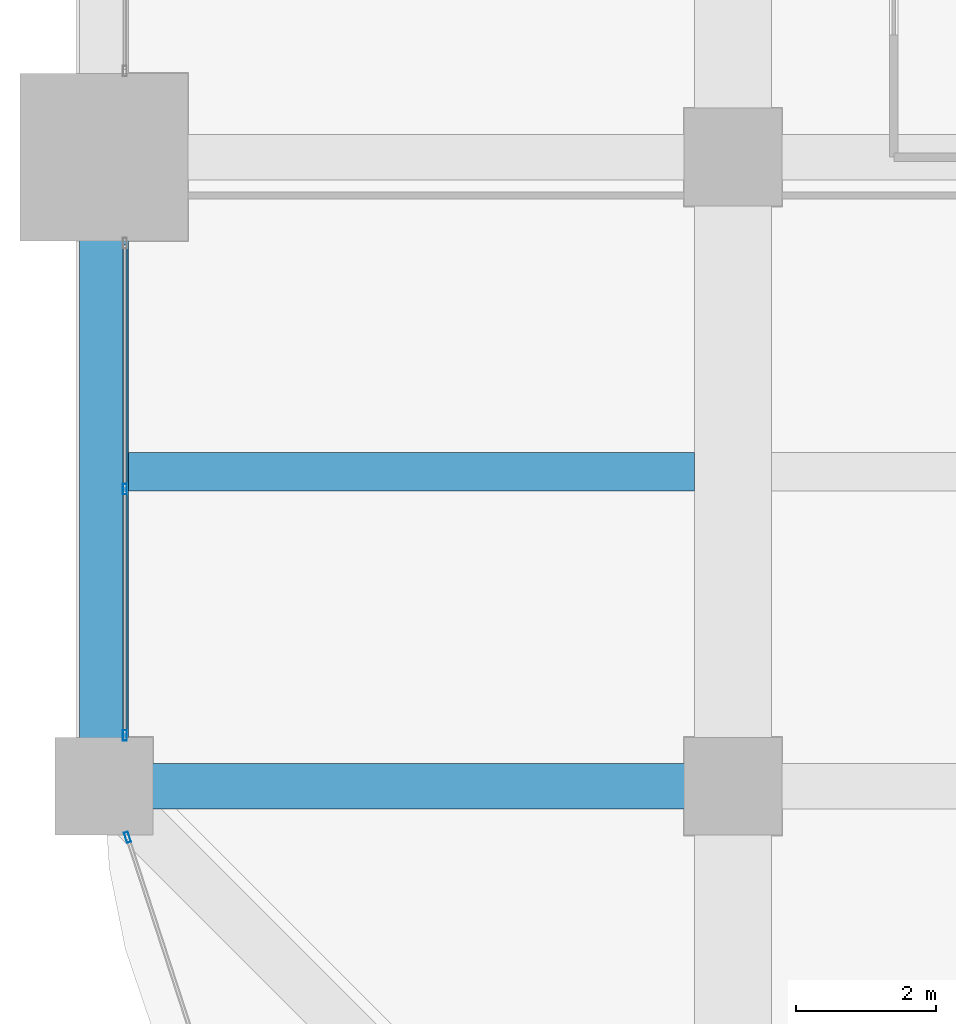
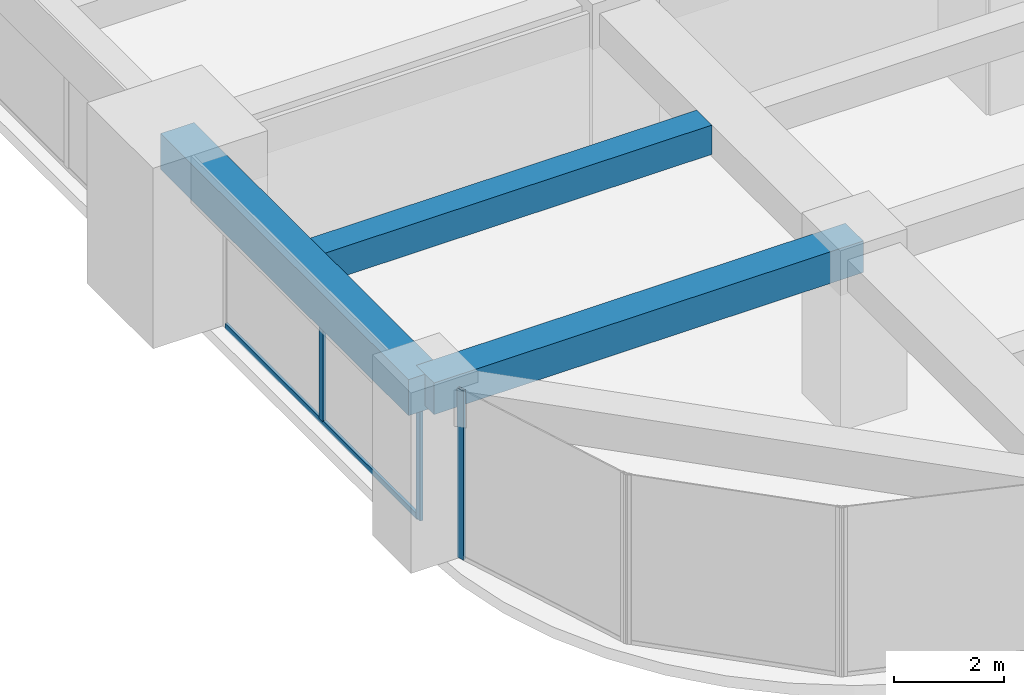
# One storey, part 4 of 32: 4 members, 3 beams, 2 elements without a shape of their own.
"""IFC4 building model written with IfcOpenShell, lengths in metres."""

import ifcopenshell
import ifcopenshell.guid

model = None  # the IFC model being written
_history = None  # IfcOwnerHistory: only IFC2X3 demands one
_inside = {}  # id of a spatial element -> (the spatial element, [elements in it])
_under = {}  # id of a project, library or spatial element -> (it, [spatial elements below it])
_declared = {}  # id of a project -> (the project, [libraries it declares])
_typed = {}  # id of a type object -> (the type object, [elements of that type])
_made_of = {}  # id of a material, layer set ... -> (it, [elements and type objects made of it])


def new_model(schema):
    """Start an empty IFC model of exactly this schema.

    Asked for "IFC4X3", IfcOpenShell would pick the latest addendum, in which some entities
    have other attributes; the version numbers below select the first issue.
    IFC2X3 requires an IfcOwnerHistory on every rooted entity: one is made here for all.
    """
    global model, _history
    if schema == "IFC4X3":
        model = ifcopenshell.file(schema_version=(4, 3, 0, 0))
    else:
        model = ifcopenshell.file(schema=schema)
    _inside.clear()
    _under.clear()
    _declared.clear()
    _typed.clear()
    _made_of.clear()
    _history = None
    if model.schema == "IFC2X3":
        org = make("IfcOrganization", Name="unknown")
        user = make(
            "IfcPersonAndOrganization",
            ThePerson=make("IfcPerson", FamilyName="unknown"),
            TheOrganization=org,
        )
        app = make(
            "IfcApplication",
            ApplicationDeveloper=org,
            Version="unknown",
            ApplicationFullName="unknown",
            ApplicationIdentifier="unknown",
        )
        _history = make(
            "IfcOwnerHistory",
            OwningUser=user,
            OwningApplication=app,
            ChangeAction="ADDED",
            CreationDate=0,
        )
    return model


def make(cls, **values):
    """One entity of the class cls with the attributes given. An attribute that is None is left unset."""
    return model.create_entity(
        cls, **{name: value for name, value in values.items() if value is not None}
    )


def rooted(cls, **values):
    """An entity with a GlobalId (a new one), such as an element, a storey or a relation."""
    return make(cls, GlobalId=ifcopenshell.guid.new(), OwnerHistory=_history, **values)


def si_unit(unit_type, name, prefix=None):
    """IfcSIUnit, for example si_unit("LENGTHUNIT", "METRE", prefix="MILLI")."""
    return make("IfcSIUnit", UnitType=unit_type, Prefix=prefix, Name=name)


def assignment(units):
    """IfcUnitAssignment: the units of a project."""
    return None if units is None else make("IfcUnitAssignment", Units=units)


def point(xyz):
    """IfcCartesianPoint."""
    return None if xyz is None else make("IfcCartesianPoint", Coordinates=xyz)


def direction(xyz):
    """IfcDirection."""
    return None if xyz is None else make("IfcDirection", DirectionRatios=xyz)


def frame(location, z_axis=None, x_axis=None):
    """IfcAxis2Placement3D, a coordinate frame: its origin and axes. An axis left out is left unset."""
    return make(
        "IfcAxis2Placement3D",
        Location=point(location),
        Axis=direction(z_axis),
        RefDirection=direction(x_axis),
    )


def frame_2d(location, x_axis=None):
    """IfcAxis2Placement2D, a coordinate frame in the plane: its origin and x axis."""
    return make(
        "IfcAxis2Placement2D", Location=point(location), RefDirection=direction(x_axis)
    )


def origin():
    """The frame at (0, 0, 0) with its axes left unset."""
    return frame((0.0, 0.0, 0.0))


def origin_2d():
    """The frame at (0, 0) in the plane with its x axis left unset."""
    return frame_2d((0.0, 0.0))


def place(relative_to, where):
    """IfcLocalPlacement: puts the frame where relative to a parent placement (None: the world)."""
    return make(
        "IfcLocalPlacement", PlacementRelTo=relative_to, RelativePlacement=where
    )


def context(
    kind, dimensions, precision=None, world=None, true_north=None, identifier=None
):
    """IfcGeometricRepresentationContext, for example the 3D "Model" context."""
    return make(
        "IfcGeometricRepresentationContext",
        ContextIdentifier=identifier,
        ContextType=kind,
        CoordinateSpaceDimension=dimensions,
        Precision=precision,
        WorldCoordinateSystem=world,
        TrueNorth=true_north,
    )


def subcontext(parent, identifier, kind, view, scale=None):
    """IfcGeometricRepresentationSubContext, for example "Body" below "Model"."""
    return make(
        "IfcGeometricRepresentationSubContext",
        ContextIdentifier=identifier,
        ContextType=kind,
        ParentContext=parent,
        TargetScale=scale,
        TargetView=view,
    )


def project(units=None, contexts=None):
    """IfcProject with its units and contexts."""
    return rooted(
        "IfcProject",
        Name="project",
        RepresentationContexts=contexts,
        UnitsInContext=assignment(units),
    )


def spatial(cls, under=None, at=None, **own):
    """A site, building, storey or space (cls), placed at a placement, below another one or the project."""
    s = rooted(cls, ObjectPlacement=at, **own)
    if under is not None:
        _under.setdefault(under.id(), (under, []))[1].append(s)
    return s


def profile(cls, at=None, kind="AREA", **sizes):
    """A parametric profile (cls). Its sizes go by their IFC names, for example OverallWidth=200.0."""
    return make(cls, ProfileType=kind, Position=at, **sizes)


def rectangle(**sizes):
    """IfcRectangleProfileDef."""
    return profile("IfcRectangleProfileDef", **sizes)


def hollow_rectangle(**sizes):
    """IfcRectangleHollowProfileDef."""
    return profile("IfcRectangleHollowProfileDef", **sizes)


def extrude(swept, where, along, depth):
    """IfcExtrudedAreaSolid: the profile swept, set in the frame where, extruded along a direction by depth."""
    return make(
        "IfcExtrudedAreaSolid",
        SweptArea=swept,
        Position=where,
        ExtrudedDirection=direction(along),
        Depth=depth,
    )


def shape(context_of_items, identifier, shape_type, items):
    """IfcShapeRepresentation: the items that make up one representation, for example the "Body"."""
    return make(
        "IfcShapeRepresentation",
        ContextOfItems=context_of_items,
        RepresentationIdentifier=identifier,
        RepresentationType=shape_type,
        Items=items,
    )


def material(Name=None, Category=None):
    """IfcMaterial."""
    return make("IfcMaterial", Name=Name, Category=Category)


def material_profile(
    of_material, cross_section, Name=None, Category=None, Priority=None
):
    """IfcMaterialProfile: a cross section and its material."""
    return make(
        "IfcMaterialProfile",
        Name=Name,
        Material=of_material,
        Profile=cross_section,
        Priority=Priority,
        Category=Category,
    )


def profile_set(profiles, Name=None, composite=None):
    """IfcMaterialProfileSet."""
    return make(
        "IfcMaterialProfileSet",
        Name=Name,
        MaterialProfiles=profiles,
        CompositeProfile=composite,
    )


def made_of(thing, what):
    """Note that an element or type object is made of a material, layer set ...; save() writes the relation."""
    if what is not None:
        _made_of.setdefault(what.id(), (what, []))[1].append(thing)
    return thing


def type_object(cls, material=None, **own):
    """A type object (cls), such as IfcWallType, which elements share."""
    return made_of(rooted(cls, **own), material)


def element(
    cls,
    number,
    at=None,
    inside=None,
    cuts=None,
    type_object=None,
    material=None,
    context=None,
    identifier="Body",
    shape_type=None,
    held_by="IfcProductDefinitionShape",
    body=None,
    shapes=None,
    **own,
):
    """One element of the class cls, such as IfcWall. Its Tag is "e" and its number.

    at: its placement. inside: the storey or other place that contains it. cuts: it is an
    opening in that element (IfcRelVoidsElement). A single representation is given by context,
    identifier, shape_type and body (its items); several are given by shapes. held_by: the class
    of the entity that holds the representations. save() writes the other relations.
    """
    e = rooted(cls, Tag="e%d" % number, ObjectPlacement=at, **own)
    if body is not None:
        shapes = [shape(context, identifier, shape_type, body)]
    if shapes is not None:
        e.Representation = make(held_by, Representations=shapes)
    if inside is not None:
        _inside.setdefault(inside.id(), (inside, []))[1].append(e)
    if cuts is not None:
        rooted(
            "IfcRelVoidsElement", RelatingBuildingElement=cuts, RelatedOpeningElement=e
        )
    if type_object is not None:
        _typed.setdefault(type_object.id(), (type_object, []))[1].append(e)
    return made_of(e, material)


def aggregate(whole, parts):
    """IfcRelAggregates: a whole, such as a stair, and the parts it consists of."""
    return rooted("IfcRelAggregates", RelatingObject=whole, RelatedObjects=parts)


def save(model, path):
    """Write the relations noted so far, then the file.

    IfcRelAggregates (storeys below a building ...), IfcRelContainedInSpatialStructure (elements
    in a storey), IfcRelDefinesByType, IfcRelAssociatesMaterial and IfcRelDeclares: one each for
    every whole, place, type object, material and project.
    """
    for whole, parts in _under.values():
        aggregate(whole, parts)
    for where, things in _inside.values():
        rooted(
            "IfcRelContainedInSpatialStructure",
            RelatedElements=things,
            RelatingStructure=where,
        )
    for kind, things in _typed.values():
        rooted("IfcRelDefinesByType", RelatedObjects=things, RelatingType=kind)
    for what, things in _made_of.values():
        rooted("IfcRelAssociatesMaterial", RelatedObjects=things, RelatingMaterial=what)
    for by, libraries in _declared.values():
        rooted("IfcRelDeclares", RelatingContext=by, RelatedDefinitions=libraries)
    model.write(path)


model = new_model("IFC4")

# Units and contexts
model_context = context("Model", 3, precision=1e-05, world=origin(), true_north=direction((0.0, 1.0)))
body_context = subcontext(model_context, "Body", "Model", "MODEL_VIEW")
ifc_project = project(units=[si_unit("LENGTHUNIT", "METRE"), si_unit("AREAUNIT", "SQUARE_METRE"), si_unit("VOLUMEUNIT", "CUBIC_METRE"), si_unit("PLANEANGLEUNIT", "RADIAN"), si_unit("MASSUNIT", "GRAM", prefix="KILO")], contexts=[model_context])

# Site, building, storey
site_placement = place(None, origin())
site = spatial("IfcSite", under=ifc_project, at=site_placement, CompositionType="ELEMENT")
building_placement = place(site_placement, origin())
building = spatial("IfcBuilding", under=site, at=building_placement, Name="Zorevar Civic Tower", CompositionType="ELEMENT")
storey_placement = place(building_placement, frame((0.0, 0.0, 202.199951171875)))
storey = spatial("IfcBuildingStorey", under=building, at=storey_placement, Name="L49", CompositionType="ELEMENT", Elevation=202.199951171875)

# Beams
ifc_material_1 = material(Name="Concrete C50/60", Category="concrete")
ifc_material_profile_1 = material_profile(ifc_material_1, rectangle(XDim=0.550048828125, YDim=0.64990234375, at=origin_2d()), Name="RC 550x650")
ifc_profile_set_1 = profile_set([ifc_material_profile_1], Name="Concrete C50/60")
beam_type_1 = type_object("IfcBeamType", Name="Beam RC 550x650", PredefinedType="BEAM", material=ifc_profile_set_1)
beam_1_placement = place(storey_placement, frame((0.35009765625, 13.5, 3.425048828125), z_axis=(1.0, 0.0, 0.0), x_axis=(0.0, 1.0, 0.0)))
element("IfcBeam", 1, at=beam_1_placement, inside=storey, type_object=beam_type_1, Name="Secondary beam L50", PredefinedType="BEAM", context=body_context, shape_type="SweptSolid", body=[
    extrude(rectangle(XDim=0.550048828125, YDim=0.64990234375, at=origin_2d()), origin(), (0.0, 0.0, 1.0), 8.099853515625),
])
ifc_material_2 = material(Name="Concrete C50/60", Category="concrete")
ifc_material_profile_2 = material_profile(ifc_material_2, rectangle(XDim=0.64990234375, YDim=0.699951171875, at=origin_2d()), Name="RC 650x700")
ifc_profile_set_2 = profile_set([ifc_material_profile_2], Name="Concrete C50/60")
beam_type_2 = type_object("IfcBeamType", Name="Beam RC 650x700", PredefinedType="BEAM", material=ifc_profile_set_2)
beam_2_placement = place(storey_placement, frame((0.0, 9.0, 3.400146484375), z_axis=(1.0, 0.0, 0.0), x_axis=(0.0, 1.0, 0.0)))
element("IfcBeam", 2, at=beam_2_placement, inside=storey, type_object=beam_type_2, Name="Girder L50", PredefinedType="BEAM", context=body_context, shape_type="SweptSolid", body=[
    extrude(rectangle(XDim=0.64990234375, YDim=0.699951171875, at=origin_2d()), origin(), (0.0, 0.0, 1.0), 9.0),
])

# Curtain wall, members
ifc_material_3 = material(Name="Dark grey solar-control glass in black aluminium frame", Category="aluminium")
curtain_wall_type = type_object("IfcCurtainWallType", Name="Curtain wall CW4 high zone", PredefinedType="NOTDEFINED", material=ifc_material_3)
curtain_wall_1_placement = place(storey_placement, origin())
curtain_wall_1 = element("IfcCurtainWall", 3, at=curtain_wall_1_placement, inside=storey, type_object=curtain_wall_type, Name="CW4 L49", PredefinedType="NOTDEFINED")
ifc_material_4 = material(Name="Aluminium, black anodised", Category="aluminium")
ifc_material_profile_3 = material_profile(ifc_material_4, hollow_rectangle(XDim=0.06005859375, YDim=0.14990234375, WallThickness=0.00390625, at=origin_2d()), Name="AL 150x60x4")
ifc_profile_set_3 = profile_set([ifc_material_profile_3], Name="Aluminium, black anodised")
member_type_1 = type_object("IfcMemberType", Name="CW4 mullion AL 150x60x4", PredefinedType="MULLION", material=ifc_profile_set_3)
member_1_placement = place(storey_placement, frame((0.300048828125, 9.72998046875, 0.0), z_axis=(0.0, 0.0, 1.0), x_axis=(-1.0, 0.0, 0.0)))
member_1 = element("IfcMember", 4, at=member_1_placement, type_object=member_type_1, Name="CW4 mullion 1", PredefinedType="MULLION", context=body_context, shape_type="SweptSolid", body=[
    extrude(hollow_rectangle(XDim=0.06005859375, YDim=0.14990234375, WallThickness=0.00390625, at=origin_2d()), origin(), (0.0, 0.0, 1.0), 2.949951171875),
])
member_2_placement = place(storey_placement, frame((0.300048828125, 13.25, 0.06005859375), z_axis=(0.0, 0.0, 1.0), x_axis=(-1.0, 0.0, 0.0)))
member_2 = element("IfcMember", 5, at=member_2_placement, type_object=member_type_1, Name="CW4 mullion 2", PredefinedType="MULLION", context=body_context, shape_type="SweptSolid", body=[
    extrude(hollow_rectangle(XDim=0.06005859375, YDim=0.14990234375, WallThickness=0.00390625, at=origin_2d()), origin(), (0.0, 0.0, 1.0), 2.889892578125),
])

# Curtain wall, member
curtain_wall_2_placement = place(storey_placement, origin())
curtain_wall_2 = element("IfcCurtainWall", 6, at=curtain_wall_2_placement, inside=storey, type_object=curtain_wall_type, Name="CW4 L49", PredefinedType="NOTDEFINED")
member_3_placement = place(storey_placement, frame((0.337646484375, 8.271484375, 0.0), z_axis=(0.0, 0.0, 1.0), x_axis=(0.950644749916, 0.310281419775, 0.0)))
member_3 = element("IfcMember", 7, at=member_3_placement, type_object=member_type_1, Name="CW4 mullion 1", PredefinedType="MULLION", context=body_context, shape_type="SweptSolid", body=[
    extrude(hollow_rectangle(XDim=0.06005859375, YDim=0.14990234375, WallThickness=0.00390625, at=origin_2d()), origin(), (0.0, 0.0, 1.0), 3.75),
])
aggregate(curtain_wall_2, [member_3])

# Member
ifc_material_5 = material(Name="Aluminium, black anodised", Category="aluminium")
ifc_material_profile_4 = material_profile(ifc_material_5, hollow_rectangle(XDim=0.06005859375, YDim=0.1201171875, WallThickness=0.0029296875, at=origin_2d()), Name="AL 120x60x3")
ifc_profile_set_4 = profile_set([ifc_material_profile_4], Name="Aluminium, black anodised")
member_type_2 = type_object("IfcMemberType", Name="CW4 transom AL 120x60x3", PredefinedType="USERDEFINED", material=ifc_profile_set_4)
member_4_placement = place(storey_placement, frame((0.300048828125, 9.760009765625, 0.030029296875), z_axis=(0.0, 1.0, 0.0), x_axis=(-1.0, 0.0, 0.0)))
member_4 = element("IfcMember", 8, at=member_4_placement, type_object=member_type_2, Name="CW4 sill transom", ObjectType="TRANSOM", PredefinedType="USERDEFINED", context=body_context, shape_type="SweptSolid", body=[
    extrude(hollow_rectangle(XDim=0.06005859375, YDim=0.1201171875, WallThickness=0.0029296875, at=origin_2d()), origin(), (0.0, 0.0, 1.0), 6.97998046875),
])

aggregate(curtain_wall_1, [member_1, member_2, member_4])

# Beam
ifc_material_6 = material(Name="Concrete C50/60", Category="concrete")
ifc_material_profile_5 = material_profile(ifc_material_6, rectangle(XDim=0.699951171875, YDim=0.800048828125, at=origin_2d()), Name="RC 700x800")
ifc_profile_set_5 = profile_set([ifc_material_profile_5], Name="Concrete C50/60")
beam_type_3 = type_object("IfcBeamType", Name="Edge beam RC 700x800", PredefinedType="SPANDREL", material=ifc_profile_set_5)
beam_3_placement = place(storey_placement, frame((0.0, 9.0, 3.35009765625), z_axis=(0.0, 1.0, 0.0), x_axis=(-1.0, 0.0, 0.0)))
element("IfcBeam", 9, at=beam_3_placement, inside=storey, type_object=beam_type_3, Name="Edge beam L50", PredefinedType="SPANDREL", context=body_context, shape_type="SweptSolid", body=[
    extrude(rectangle(XDim=0.699951171875, YDim=0.800048828125, at=origin_2d()), origin(), (0.0, 0.0, 1.0), 9.0),
])

save(model, "model.ifc")
